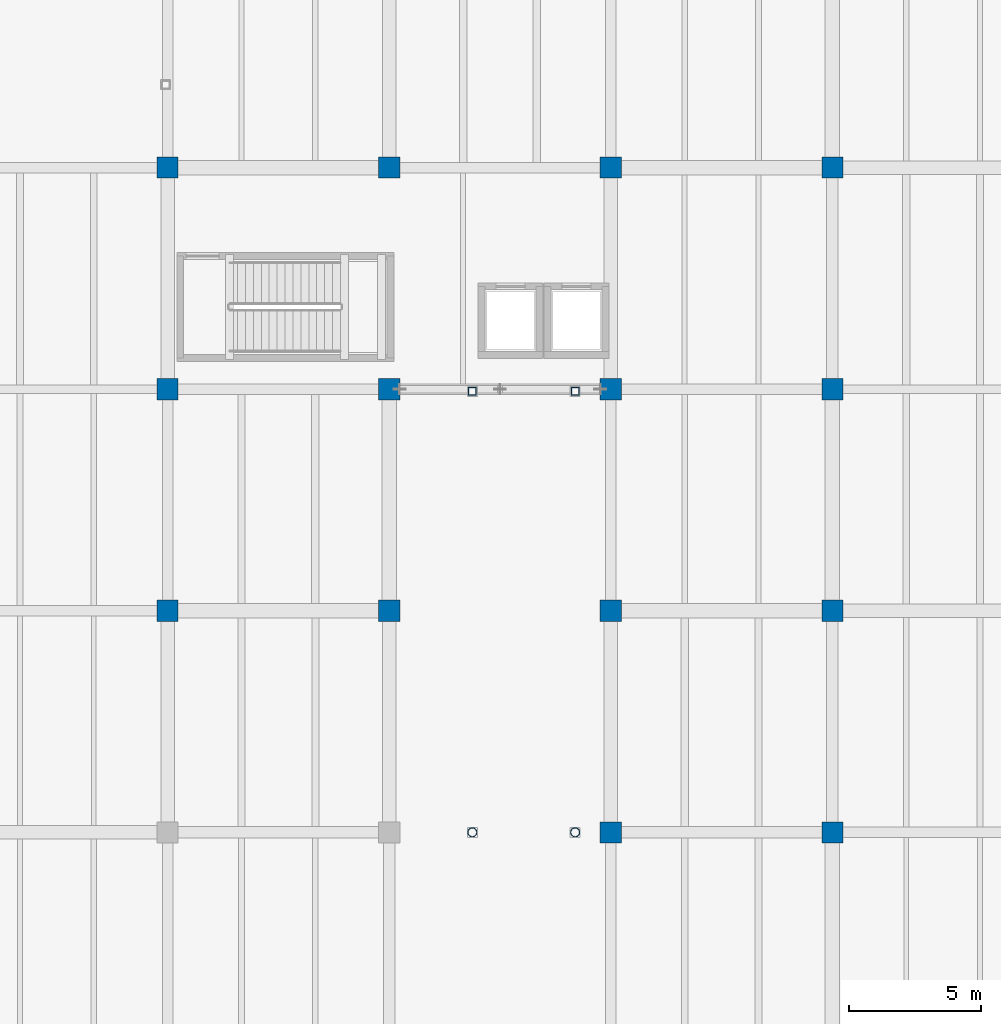
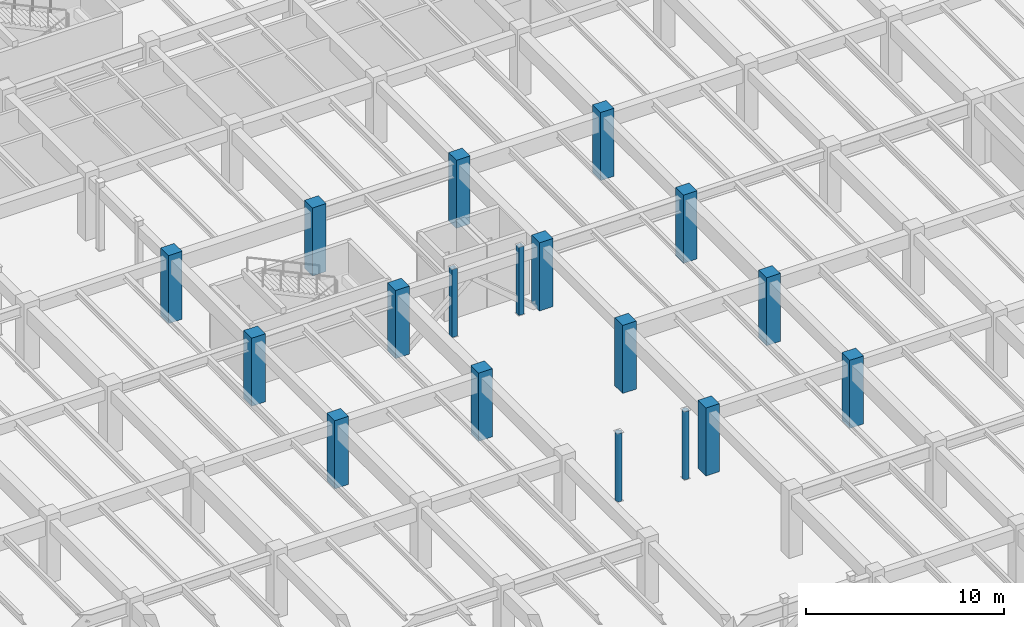
# One storey, part 10 of 63: 18 columns.
"""IFC4 building model written with IfcOpenShell, lengths in metres."""

import ifcopenshell
import ifcopenshell.guid

model = None  # the IFC model being written
_history = None  # IfcOwnerHistory: only IFC2X3 demands one
_inside = {}  # id of a spatial element -> (the spatial element, [elements in it])
_under = {}  # id of a project, library or spatial element -> (it, [spatial elements below it])
_declared = {}  # id of a project -> (the project, [libraries it declares])
_typed = {}  # id of a type object -> (the type object, [elements of that type])
_made_of = {}  # id of a material, layer set ... -> (it, [elements and type objects made of it])


def new_model(schema):
    """Start an empty IFC model of exactly this schema.

    Asked for "IFC4X3", IfcOpenShell would pick the latest addendum, in which some entities
    have other attributes; the version numbers below select the first issue.
    IFC2X3 requires an IfcOwnerHistory on every rooted entity: one is made here for all.
    """
    global model, _history
    if schema == "IFC4X3":
        model = ifcopenshell.file(schema_version=(4, 3, 0, 0))
    else:
        model = ifcopenshell.file(schema=schema)
    _inside.clear()
    _under.clear()
    _declared.clear()
    _typed.clear()
    _made_of.clear()
    _history = None
    if model.schema == "IFC2X3":
        org = make("IfcOrganization", Name="unknown")
        user = make(
            "IfcPersonAndOrganization",
            ThePerson=make("IfcPerson", FamilyName="unknown"),
            TheOrganization=org,
        )
        app = make(
            "IfcApplication",
            ApplicationDeveloper=org,
            Version="unknown",
            ApplicationFullName="unknown",
            ApplicationIdentifier="unknown",
        )
        _history = make(
            "IfcOwnerHistory",
            OwningUser=user,
            OwningApplication=app,
            ChangeAction="ADDED",
            CreationDate=0,
        )
    return model


def make(cls, **values):
    """One entity of the class cls with the attributes given. An attribute that is None is left unset."""
    return model.create_entity(
        cls, **{name: value for name, value in values.items() if value is not None}
    )


def rooted(cls, **values):
    """An entity with a GlobalId (a new one), such as an element, a storey or a relation."""
    return make(cls, GlobalId=ifcopenshell.guid.new(), OwnerHistory=_history, **values)


def si_unit(unit_type, name, prefix=None):
    """IfcSIUnit, for example si_unit("LENGTHUNIT", "METRE", prefix="MILLI")."""
    return make("IfcSIUnit", UnitType=unit_type, Prefix=prefix, Name=name)


def assignment(units):
    """IfcUnitAssignment: the units of a project."""
    return None if units is None else make("IfcUnitAssignment", Units=units)


def point(xyz):
    """IfcCartesianPoint."""
    return None if xyz is None else make("IfcCartesianPoint", Coordinates=xyz)


def direction(xyz):
    """IfcDirection."""
    return None if xyz is None else make("IfcDirection", DirectionRatios=xyz)


def frame(location, z_axis=None, x_axis=None):
    """IfcAxis2Placement3D, a coordinate frame: its origin and axes. An axis left out is left unset."""
    return make(
        "IfcAxis2Placement3D",
        Location=point(location),
        Axis=direction(z_axis),
        RefDirection=direction(x_axis),
    )


def frame_2d(location, x_axis=None):
    """IfcAxis2Placement2D, a coordinate frame in the plane: its origin and x axis."""
    return make(
        "IfcAxis2Placement2D", Location=point(location), RefDirection=direction(x_axis)
    )


def origin():
    """The frame at (0, 0, 0) with its axes left unset."""
    return frame((0.0, 0.0, 0.0))


def origin_2d():
    """The frame at (0, 0) in the plane with its x axis left unset."""
    return frame_2d((0.0, 0.0))


def place(relative_to, where):
    """IfcLocalPlacement: puts the frame where relative to a parent placement (None: the world)."""
    return make(
        "IfcLocalPlacement", PlacementRelTo=relative_to, RelativePlacement=where
    )


def context(
    kind, dimensions, precision=None, world=None, true_north=None, identifier=None
):
    """IfcGeometricRepresentationContext, for example the 3D "Model" context."""
    return make(
        "IfcGeometricRepresentationContext",
        ContextIdentifier=identifier,
        ContextType=kind,
        CoordinateSpaceDimension=dimensions,
        Precision=precision,
        WorldCoordinateSystem=world,
        TrueNorth=true_north,
    )


def subcontext(parent, identifier, kind, view, scale=None):
    """IfcGeometricRepresentationSubContext, for example "Body" below "Model"."""
    return make(
        "IfcGeometricRepresentationSubContext",
        ContextIdentifier=identifier,
        ContextType=kind,
        ParentContext=parent,
        TargetScale=scale,
        TargetView=view,
    )


def project(units=None, contexts=None):
    """IfcProject with its units and contexts."""
    return rooted(
        "IfcProject",
        Name="project",
        RepresentationContexts=contexts,
        UnitsInContext=assignment(units),
    )


def spatial(cls, under=None, at=None, **own):
    """A site, building, storey or space (cls), placed at a placement, below another one or the project."""
    s = rooted(cls, ObjectPlacement=at, **own)
    if under is not None:
        _under.setdefault(under.id(), (under, []))[1].append(s)
    return s


def profile(cls, at=None, kind="AREA", **sizes):
    """A parametric profile (cls). Its sizes go by their IFC names, for example OverallWidth=200.0."""
    return make(cls, ProfileType=kind, Position=at, **sizes)


def rectangle(**sizes):
    """IfcRectangleProfileDef."""
    return profile("IfcRectangleProfileDef", **sizes)


def hollow_rectangle(**sizes):
    """IfcRectangleHollowProfileDef."""
    return profile("IfcRectangleHollowProfileDef", **sizes)


def hollow_circle(**sizes):
    """IfcCircleHollowProfileDef."""
    return profile("IfcCircleHollowProfileDef", **sizes)


def extrude(swept, where, along, depth):
    """IfcExtrudedAreaSolid: the profile swept, set in the frame where, extruded along a direction by depth."""
    return make(
        "IfcExtrudedAreaSolid",
        SweptArea=swept,
        Position=where,
        ExtrudedDirection=direction(along),
        Depth=depth,
    )


def shape(context_of_items, identifier, shape_type, items):
    """IfcShapeRepresentation: the items that make up one representation, for example the "Body"."""
    return make(
        "IfcShapeRepresentation",
        ContextOfItems=context_of_items,
        RepresentationIdentifier=identifier,
        RepresentationType=shape_type,
        Items=items,
    )


def material(Name=None, Category=None):
    """IfcMaterial."""
    return make("IfcMaterial", Name=Name, Category=Category)


def material_profile(
    of_material, cross_section, Name=None, Category=None, Priority=None
):
    """IfcMaterialProfile: a cross section and its material."""
    return make(
        "IfcMaterialProfile",
        Name=Name,
        Material=of_material,
        Profile=cross_section,
        Priority=Priority,
        Category=Category,
    )


def profile_set(profiles, Name=None, composite=None):
    """IfcMaterialProfileSet."""
    return make(
        "IfcMaterialProfileSet",
        Name=Name,
        MaterialProfiles=profiles,
        CompositeProfile=composite,
    )


def made_of(thing, what):
    """Note that an element or type object is made of a material, layer set ...; save() writes the relation."""
    if what is not None:
        _made_of.setdefault(what.id(), (what, []))[1].append(thing)
    return thing


def type_object(cls, material=None, **own):
    """A type object (cls), such as IfcWallType, which elements share."""
    return made_of(rooted(cls, **own), material)


def element(
    cls,
    number,
    at=None,
    inside=None,
    cuts=None,
    type_object=None,
    material=None,
    context=None,
    identifier="Body",
    shape_type=None,
    held_by="IfcProductDefinitionShape",
    body=None,
    shapes=None,
    **own,
):
    """One element of the class cls, such as IfcWall. Its Tag is "e" and its number.

    at: its placement. inside: the storey or other place that contains it. cuts: it is an
    opening in that element (IfcRelVoidsElement). A single representation is given by context,
    identifier, shape_type and body (its items); several are given by shapes. held_by: the class
    of the entity that holds the representations. save() writes the other relations.
    """
    e = rooted(cls, Tag="e%d" % number, ObjectPlacement=at, **own)
    if body is not None:
        shapes = [shape(context, identifier, shape_type, body)]
    if shapes is not None:
        e.Representation = make(held_by, Representations=shapes)
    if inside is not None:
        _inside.setdefault(inside.id(), (inside, []))[1].append(e)
    if cuts is not None:
        rooted(
            "IfcRelVoidsElement", RelatingBuildingElement=cuts, RelatedOpeningElement=e
        )
    if type_object is not None:
        _typed.setdefault(type_object.id(), (type_object, []))[1].append(e)
    return made_of(e, material)


def aggregate(whole, parts):
    """IfcRelAggregates: a whole, such as a stair, and the parts it consists of."""
    return rooted("IfcRelAggregates", RelatingObject=whole, RelatedObjects=parts)


def save(model, path):
    """Write the relations noted so far, then the file.

    IfcRelAggregates (storeys below a building ...), IfcRelContainedInSpatialStructure (elements
    in a storey), IfcRelDefinesByType, IfcRelAssociatesMaterial and IfcRelDeclares: one each for
    every whole, place, type object, material and project.
    """
    for whole, parts in _under.values():
        aggregate(whole, parts)
    for where, things in _inside.values():
        rooted(
            "IfcRelContainedInSpatialStructure",
            RelatedElements=things,
            RelatingStructure=where,
        )
    for kind, things in _typed.values():
        rooted("IfcRelDefinesByType", RelatedObjects=things, RelatingType=kind)
    for what, things in _made_of.values():
        rooted("IfcRelAssociatesMaterial", RelatedObjects=things, RelatingMaterial=what)
    for by, libraries in _declared.values():
        rooted("IfcRelDeclares", RelatingContext=by, RelatedDefinitions=libraries)
    model.write(path)


model = new_model("IFC4")

# Units and contexts
model_context = context("Model", 3, precision=1e-05, world=origin(), true_north=direction((0.0, 1.0)))
body_context = subcontext(model_context, "Body", "Model", "MODEL_VIEW")
ifc_project = project(units=[si_unit("LENGTHUNIT", "METRE"), si_unit("AREAUNIT", "SQUARE_METRE"), si_unit("VOLUMEUNIT", "CUBIC_METRE"), si_unit("PLANEANGLEUNIT", "RADIAN"), si_unit("MASSUNIT", "GRAM", prefix="KILO")], contexts=[model_context])

# Site, building, storey
site_placement = place(None, origin())
site = spatial("IfcSite", under=ifc_project, at=site_placement, CompositionType="ELEMENT")
building_placement = place(site_placement, origin())
building = spatial("IfcBuilding", under=site, at=building_placement, Name="Cumbredor Promenade Congress Hotel", CompositionType="ELEMENT")
storey_placement = place(building_placement, frame((0.0, 0.0, -4.199951171875)))
storey = spatial("IfcBuildingStorey", under=building, at=storey_placement, Name="B01", CompositionType="ELEMENT", Elevation=-4.199951171875)

# Columns
ifc_material_1 = material(Name="Concrete C50/60", Category="concrete")
ifc_material_profile_1 = material_profile(ifc_material_1, rectangle(XDim=0.800048828125, YDim=0.800048828125, at=origin_2d()), Name="RC 800x800")
ifc_profile_set_1 = profile_set([ifc_material_profile_1], Name="Concrete C50/60")
column_type_1 = type_object("IfcColumnType", Name="COL-RC-800", PredefinedType="COLUMN", material=ifc_profile_set_1)
for number, where, z_axis, x_axis, name in (
    (1, (92.39990234375, 75.60009765625, 0.0), (0.0, 0.0, 1.0), (1.0, 0.0, 0.0), "B01 Structural Column 150"),
    (2, (92.39990234375, 84.0, 0.0), (0.0, 0.0, 1.0), (1.0, 0.0, 0.0), "B01 Structural Column 151"),
    (3, (92.39990234375, 92.39990234375, 0.0), (0.0, 0.0, 1.0), (1.0, 0.0, 0.0), "B01 Structural Column 152"),
    (4, (100.800048828125, 75.60009765625, 0.0), (0.0, 0.0, 1.0), (1.0, 0.0, 0.0), "B01 Structural Column 164"),
    (5, (100.800048828125, 84.0, 0.0), (0.0, 0.0, 1.0), (1.0, 0.0, 0.0), "B01 Structural Column 165"),
    (6, (100.800048828125, 92.39990234375, 0.0), (0.0, 0.0, 1.0), (1.0, 0.0, 0.0), "B01 Structural Column 166"),
    (7, (109.199951171875, 67.199951171875, 0.0), (0.0, 0.0, 1.0), (1.0, 0.0, 0.0), "B01 Structural Column 177"),
    (8, (109.199951171875, 75.60009765625, 0.0), (0.0, 0.0, 1.0), (1.0, 0.0, 0.0), "B01 Structural Column 178"),
    (9, (109.199951171875, 84.0, 0.0), (0.0, 0.0, 1.0), (1.0, 0.0, 0.0), "B01 Structural Column 179"),
    (10, (109.199951171875, 92.39990234375, 0.0), (0.0, 0.0, 1.0), (1.0, 0.0, 0.0), "B01 Structural Column 180"),
    (11, (117.60009765625, 67.199951171875, 0.0), (0.0, 0.0, 1.0), (1.0, 0.0, 0.0), "B01 Structural Column 191"),
    (12, (117.60009765625, 75.60009765625, 0.0), (0.0, 0.0, 1.0), (1.0, 0.0, 0.0), "B01 Structural Column 192"),
    (13, (117.60009765625, 84.0, 0.0), (0.0, 0.0, 1.0), (1.0, 0.0, 0.0), "B01 Structural Column 193"),
    (14, (117.60009765625, 92.39990234375, 0.0), (0.0, 0.0, 1.0), (1.0, 0.0, 0.0), "B01 Structural Column 194"),
):
    element("IfcColumn", number, at=place(storey_placement, frame(where, z_axis=z_axis, x_axis=x_axis)), inside=storey, type_object=column_type_1, Name=name, PredefinedType="COLUMN", context=body_context, shape_type="SweptSolid", body=[
        extrude(rectangle(XDim=0.800048828125, YDim=0.800048828125, at=origin_2d()), origin(), (0.0, 0.0, 1.0), 4.199951171875),
    ])
ifc_material_2 = material(Name="Steel ASTM A500 Grade C", Category="steel")
ifc_material_profile_2 = material_profile(ifc_material_2, hollow_circle(Radius=0.177734375, WallThickness=0.01611328125, at=origin_2d()), Name="CHS 355.6x16")
ifc_profile_set_2 = profile_set([ifc_material_profile_2], Name="Steel ASTM A500 Grade C")
column_type_2 = type_object("IfcColumnType", Name="COL-STL-CHS355", PredefinedType="COLUMN", material=ifc_profile_set_2)
for number, where, z_axis, x_axis, name in (
    (15, (103.949951171875, 67.199951171875, 0.0), (0.0, 0.0, 1.0), (1.0, 0.0, 0.0), "B01 Pool Bridge Mid Sub-Pier 1"),
    (16, (107.85009765625, 67.199951171875, 0.0), (0.0, 0.0, 1.0), (1.0, 0.0, 0.0), "B01 Pool Bridge Mid Sub-Pier 2"),
):
    element("IfcColumn", number, at=place(storey_placement, frame(where, z_axis=z_axis, x_axis=x_axis)), inside=storey, type_object=column_type_2, Name=name, PredefinedType="COLUMN", context=body_context, shape_type="SweptSolid", body=[
        extrude(hollow_circle(Radius=0.177734375, WallThickness=0.01611328125, at=origin_2d()), origin(), (0.0, 0.0, 1.0), 4.199951171875),
    ])
ifc_material_profile_3 = material_profile(ifc_material_2, hollow_rectangle(XDim=0.300048828125, YDim=0.300048828125, WallThickness=0.01611328125, at=origin_2d()), Name="HSS 300x300x16")
ifc_profile_set_3 = profile_set([ifc_material_profile_3], Name="Steel ASTM A500 Grade C")
column_type_3 = type_object("IfcColumnType", Name="COL-STL-HSS300", PredefinedType="COLUMN", material=ifc_profile_set_3)
for number, where, z_axis, x_axis, name in (
    (17, (103.949951171875, 83.919921875, 0.0), (0.0, 0.0, 1.0), (1.0, 0.0, 0.0), "Central Reflecting-Pool Promenade Bridge B01 Substructure Pier 3"),
    (18, (107.85009765625, 83.919921875, 0.0), (0.0, 0.0, 1.0), (1.0, 0.0, 0.0), "Central Reflecting-Pool Promenade Bridge B01 Substructure Pier 4"),
):
    element("IfcColumn", number, at=place(storey_placement, frame(where, z_axis=z_axis, x_axis=x_axis)), inside=storey, type_object=column_type_3, Name=name, PredefinedType="COLUMN", context=body_context, shape_type="SweptSolid", body=[
        extrude(hollow_rectangle(XDim=0.300048828125, YDim=0.300048828125, WallThickness=0.01611328125, at=origin_2d()), origin(), (0.0, 0.0, 1.0), 4.199951171875),
    ])

save(model, "model.ifc")
